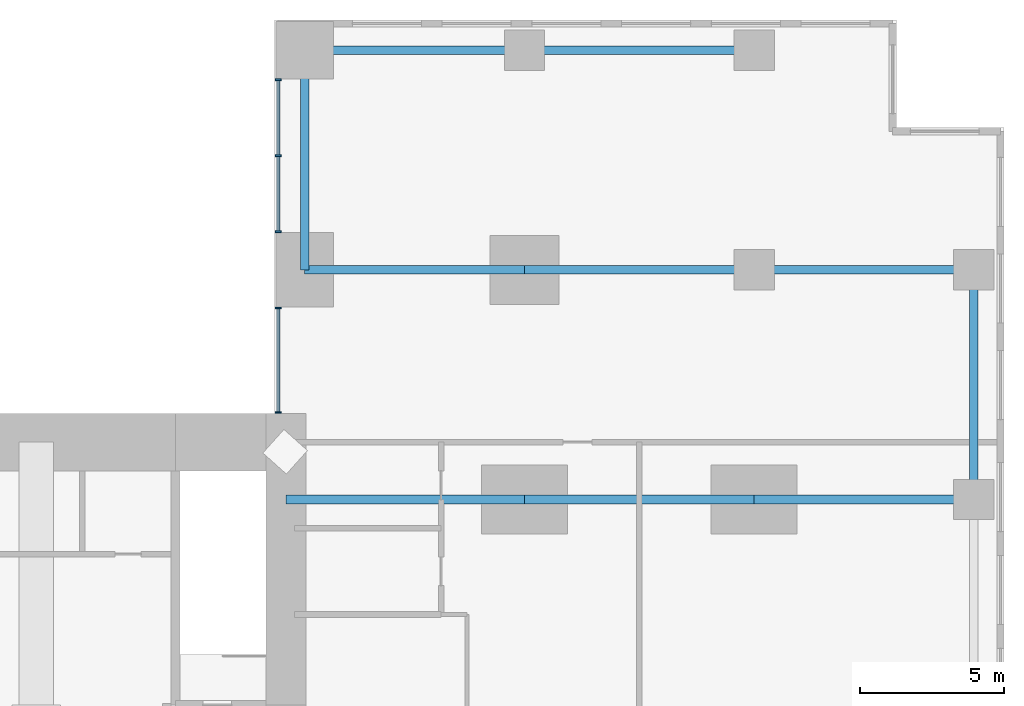
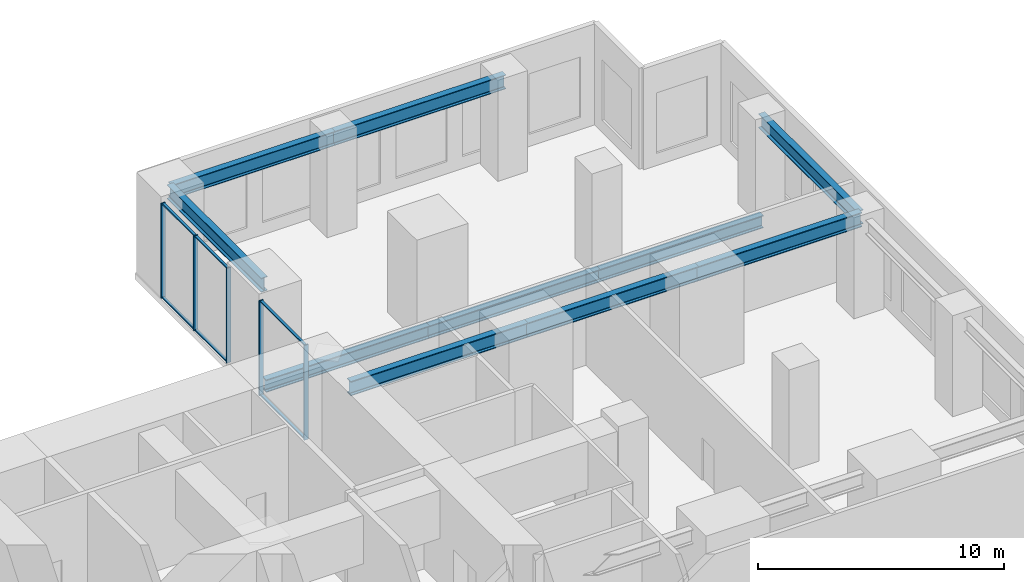
# One storey, part 4 of 7: 11 members, 10 beams, 2 elements without a shape of their own.
"""IFC4 building model written with IfcOpenShell, lengths in metres."""

from ifc_helpers import new_model, si_unit, direction, frame, origin, origin_2d, place, context, subcontext, project, spatial, rectangle, i_section, extrude, material, layer, layer_set, material_profile, profile_set, type_object, element, aggregate, save


model = new_model("IFC4")

# Units and contexts
model_context = context("Model", 3, precision=1e-05, world=origin(), true_north=direction((0.0, 1.0)))
body_context = subcontext(model_context, "Body", "Model", "MODEL_VIEW")
ifc_project = project(units=[si_unit("LENGTHUNIT", "METRE"), si_unit("AREAUNIT", "SQUARE_METRE"), si_unit("VOLUMEUNIT", "CUBIC_METRE"), si_unit("PLANEANGLEUNIT", "RADIAN"), si_unit("MASSUNIT", "GRAM", prefix="KILO")], contexts=[model_context])

# Site, building, storey
site_placement = place(None, origin())
site = spatial("IfcSite", under=ifc_project, at=site_placement, CompositionType="ELEMENT")
building_placement = place(site_placement, origin())
building = spatial("IfcBuilding", under=site, at=building_placement, Name="Cleftline Residences", CompositionType="ELEMENT")
storey_placement = place(building_placement, frame((0.0, 0.0, 296.60009765625)))
storey = spatial("IfcBuildingStorey", under=building, at=storey_placement, Name="L77", CompositionType="ELEMENT", Elevation=296.60009765625)

# Beams
ifc_material_1 = material(Name="Steel S355", Category="steel")
ifc_material_profile_1 = material_profile(ifc_material_1, i_section(OverallWidth=0.300048828125, OverallDepth=0.699951171875, WebThickness=0.01708984375, FlangeThickness=0.031982421875, FilletRadius=0.027099609375, at=origin_2d()))
ifc_profile_set_1 = profile_set([ifc_material_profile_1], Name="Steel S355")
beam_type_1 = type_object("IfcBeamType", Name="BEAM HEB 700", PredefinedType="BEAM", material=ifc_profile_set_1)
for number, where, z_axis, x_axis, name in (
    (1, (65.64990234375, 32.0, 4.349853515625), (0.0, 1.0, 0.0), (-1.0, 0.0, 0.0), "Edge beam"),
    (2, (58.0, 47.64990234375, 4.349853515625), (-1.0, 0.0, 0.0), (0.0, -1.0, 0.0), "Edge beam"),
):
    element("IfcBeam", number, at=place(storey_placement, frame(where, z_axis=z_axis, x_axis=x_axis)), inside=storey, type_object=beam_type_1, Name=name, PredefinedType="BEAM", context=body_context, shape_type="SweptSolid", body=[
        extrude(i_section(OverallWidth=0.300048828125, OverallDepth=0.699951171875, WebThickness=0.01708984375, FlangeThickness=0.031982421875, FilletRadius=0.027099609375, at=origin_2d()), origin(), (0.0, 0.0, 1.0), 8.0),
    ])
for number, where, z_axis, x_axis, name in (
    (3, (50.0, 47.64990234375, 4.349853515625), (-1.0, 0.0, 0.0), (0.0, -1.0, 0.0), "Edge beam"),
    (4, (42.35009765625, 47.64990234375, 4.349853515625), (0.0, -1.0, 0.0), (1.0, 0.0, 0.0), "Edge beam"),
):
    element("IfcBeam", number, at=place(storey_placement, frame(where, z_axis=z_axis, x_axis=x_axis)), inside=storey, type_object=beam_type_1, Name=name, PredefinedType="BEAM", context=body_context, shape_type="SweptSolid", body=[
        extrude(i_section(OverallWidth=0.300048828125, OverallDepth=0.699951171875, WebThickness=0.01708984375, FlangeThickness=0.031982421875, FilletRadius=0.027099609375, at=origin_2d()), origin(), (0.0, 0.0, 1.0), 7.64990234375),
    ])
ifc_material_2 = material(Name="Steel S355", Category="steel")
ifc_material_profile_2 = material_profile(ifc_material_2, i_section(OverallWidth=0.304931640625, OverallDepth=0.6201171875, WebThickness=0.02099609375, FlangeThickness=0.0400390625, FilletRadius=0.027099609375, at=origin_2d()))
ifc_profile_set_2 = profile_set([ifc_material_profile_2], Name="Steel S355")
beam_type_2 = type_object("IfcBeamType", Name="BEAM HEM 600", PredefinedType="BEAM", material=ifc_profile_set_2)
beam_1_placement = place(storey_placement, frame((42.35009765625, 40.0, -0.610107421875), z_axis=(1.0, 0.0, 0.0), x_axis=(0.0, 1.0, 0.0)))
element("IfcBeam", 5, at=beam_1_placement, inside=storey, type_object=beam_type_2, Name="Plant support beam", PredefinedType="BEAM", context=body_context, shape_type="SweptSolid", body=[
    extrude(i_section(OverallWidth=0.304931640625, OverallDepth=0.6201171875, WebThickness=0.02099609375, FlangeThickness=0.0400390625, FilletRadius=0.027099609375, at=origin_2d()), origin(), (0.0, 0.0, 1.0), 7.64990234375),
])
beam_2_placement = place(storey_placement, frame((50.0, 40.0, -0.610107421875), z_axis=(1.0, 0.0, 0.0), x_axis=(0.0, 1.0, 0.0)))
element("IfcBeam", 6, at=beam_2_placement, inside=storey, type_object=beam_type_2, Name="Plant support beam", PredefinedType="BEAM", context=body_context, shape_type="SweptSolid", body=[
    extrude(i_section(OverallWidth=0.304931640625, OverallDepth=0.6201171875, WebThickness=0.02099609375, FlangeThickness=0.0400390625, FilletRadius=0.027099609375, at=origin_2d()), origin(), (0.0, 0.0, 1.0), 8.0),
])
beam_3_placement = place(storey_placement, frame((58.0, 40.0, -0.610107421875), z_axis=(1.0, 0.0, 0.0), x_axis=(0.0, 1.0, 0.0)))
element("IfcBeam", 7, at=beam_3_placement, inside=storey, type_object=beam_type_2, Name="Plant support beam", PredefinedType="BEAM", context=body_context, shape_type="SweptSolid", body=[
    extrude(i_section(OverallWidth=0.304931640625, OverallDepth=0.6201171875, WebThickness=0.02099609375, FlangeThickness=0.0400390625, FilletRadius=0.027099609375, at=origin_2d()), origin(), (0.0, 0.0, 1.0), 7.64990234375),
])
ifc_material_3 = material(Name="Steel S355", Category="steel")
ifc_material_profile_3 = material_profile(ifc_material_3, i_section(OverallWidth=0.303955078125, OverallDepth=0.716064453125, WebThickness=0.02099609375, FlangeThickness=0.0400390625, FilletRadius=0.027099609375, at=origin_2d()))
ifc_profile_set_3 = profile_set([ifc_material_profile_3], Name="Steel S355")
beam_type_3 = type_object("IfcBeamType", Name="BEAM HEM 700", PredefinedType="BEAM", material=ifc_profile_set_3)
beam_4_placement = place(storey_placement, frame((65.64990234375, 32.0, 4.341796875), z_axis=(-1.0, 0.0, 0.0), x_axis=(0.0, -1.0, 0.0)))
element("IfcBeam", 8, at=beam_4_placement, inside=storey, type_object=beam_type_3, Name="Band beam", PredefinedType="BEAM", context=body_context, shape_type="SweptSolid", body=[
    extrude(i_section(OverallWidth=0.303955078125, OverallDepth=0.716064453125, WebThickness=0.02099609375, FlangeThickness=0.0400390625, FilletRadius=0.027099609375, at=origin_2d()), origin(), (0.0, 0.0, 1.0), 7.64990234375),
])
beam_5_placement = place(storey_placement, frame((58.0, 32.0, 4.341796875), z_axis=(-1.0, 0.0, 0.0), x_axis=(0.0, -1.0, 0.0)))
element("IfcBeam", 9, at=beam_5_placement, inside=storey, type_object=beam_type_3, Name="Band beam", PredefinedType="BEAM", context=body_context, shape_type="SweptSolid", body=[
    extrude(i_section(OverallWidth=0.303955078125, OverallDepth=0.716064453125, WebThickness=0.02099609375, FlangeThickness=0.0400390625, FilletRadius=0.027099609375, at=origin_2d()), origin(), (0.0, 0.0, 1.0), 8.0),
])
beam_6_placement = place(storey_placement, frame((50.0, 32.0, 4.341796875), z_axis=(-1.0, 0.0, 0.0), x_axis=(0.0, -1.0, 0.0)))
element("IfcBeam", 10, at=beam_6_placement, inside=storey, type_object=beam_type_3, Name="Band beam", PredefinedType="BEAM", context=body_context, shape_type="SweptSolid", body=[
    extrude(i_section(OverallWidth=0.303955078125, OverallDepth=0.716064453125, WebThickness=0.02099609375, FlangeThickness=0.0400390625, FilletRadius=0.027099609375, at=origin_2d()), origin(), (0.0, 0.0, 1.0), 8.300048828125),
])

# Curtain wall, members
ifc_material_4 = material(Name="Aluminium framed curtain wall", Category="aluminium")
ifc_layer = layer(ifc_material_4, 0.199951171875)
ifc_layer_set = layer_set([ifc_layer], Name="CW1 CLEFT GLAZING")
curtain_wall_type = type_object("IfcCurtainWallType", Name="CW1 CLEFT GLAZING", PredefinedType="NOTDEFINED", material=ifc_layer_set)
curtain_wall_1_placement = place(storey_placement, origin())
curtain_wall_1 = element("IfcCurtainWall", 11, at=curtain_wall_1_placement, inside=storey, type_object=curtain_wall_type, Name="Curtain wall CW1", PredefinedType="NOTDEFINED")
ifc_material_5 = material(Name="Aluminium mullion", Category="aluminium")
ifc_material_profile_4 = material_profile(ifc_material_5, rectangle(XDim=0.199951171875, YDim=0.06005859375, at=origin_2d()))
ifc_profile_set_4 = profile_set([ifc_material_profile_4], Name="Aluminium mullion")
member_type_1 = type_object("IfcMemberType", Name="CW1 MULLION", PredefinedType="MULLION", material=ifc_profile_set_4)
member_1_placement = place(storey_placement, frame((41.425048828125, 46.6201171875, 0.0), z_axis=(0.0, 0.0, 1.0), x_axis=(1.0, 0.0, 0.0)))
member_1 = element("IfcMember", 12, at=member_1_placement, type_object=member_type_1, Name="CW1 mullion 1", PredefinedType="MULLION", context=body_context, shape_type="SweptSolid", body=[
    extrude(rectangle(XDim=0.199951171875, YDim=0.06005859375, at=origin_2d()), origin(), (0.0, 0.0, 1.0), 4.699951171875),
])
member_2_placement = place(storey_placement, frame((41.425048828125, 43.97509765625, 0.0), z_axis=(0.0, 0.0, 1.0), x_axis=(1.0, 0.0, 0.0)))
member_2 = element("IfcMember", 13, at=member_2_placement, type_object=member_type_1, Name="CW1 mullion 2", PredefinedType="MULLION", context=body_context, shape_type="SweptSolid", body=[
    extrude(rectangle(XDim=0.199951171875, YDim=0.06005859375, at=origin_2d()), origin(), (0.0, 0.0, 1.0), 4.699951171875),
])
member_3_placement = place(storey_placement, frame((41.425048828125, 41.330078125, 0.0), z_axis=(0.0, 0.0, 1.0), x_axis=(1.0, 0.0, 0.0)))
member_3 = element("IfcMember", 14, at=member_3_placement, type_object=member_type_1, Name="CW1 mullion 3", PredefinedType="MULLION", context=body_context, shape_type="SweptSolid", body=[
    extrude(rectangle(XDim=0.199951171875, YDim=0.06005859375, at=origin_2d()), origin(), (0.0, 0.0, 1.0), 4.699951171875),
])

curtain_wall_2_placement = place(storey_placement, origin())
curtain_wall_2 = element("IfcCurtainWall", 15, at=curtain_wall_2_placement, inside=storey, type_object=curtain_wall_type, Name="Curtain wall CW1", PredefinedType="NOTDEFINED")
member_4_placement = place(storey_placement, frame((41.425048828125, 38.669921875, 0.0), z_axis=(0.0, 0.0, 1.0), x_axis=(1.0, 0.0, 0.0)))
member_4 = element("IfcMember", 16, at=member_4_placement, type_object=member_type_1, Name="CW1 mullion 1", PredefinedType="MULLION", context=body_context, shape_type="SweptSolid", body=[
    extrude(rectangle(XDim=0.199951171875, YDim=0.06005859375, at=origin_2d()), origin(), (0.0, 0.0, 1.0), 4.699951171875),
])
member_5_placement = place(storey_placement, frame((41.425048828125, 35.030029296875, 0.0), z_axis=(0.0, 0.0, 1.0), x_axis=(1.0, 0.0, 0.0)))
member_5 = element("IfcMember", 17, at=member_5_placement, type_object=member_type_1, Name="CW1 mullion 2", PredefinedType="MULLION", context=body_context, shape_type="SweptSolid", body=[
    extrude(rectangle(XDim=0.199951171875, YDim=0.06005859375, at=origin_2d()), origin(), (0.0, 0.0, 1.0), 4.699951171875),
])

# Member
ifc_material_6 = material(Name="Aluminium transom", Category="aluminium")
ifc_material_profile_5 = material_profile(ifc_material_6, rectangle(XDim=0.1201171875, YDim=0.06005859375, at=origin_2d()))
ifc_profile_set_5 = profile_set([ifc_material_profile_5], Name="Aluminium transom")
member_type_2 = type_object("IfcMemberType", Name="CW1 TRANSOM", PredefinedType="USERDEFINED", material=ifc_profile_set_5)
member_6_placement = place(storey_placement, frame((41.425048828125, 46.590087890625, 0.02978515625), z_axis=(0.0, -1.0, 0.0), x_axis=(1.0, 0.0, 0.0)))
member_6 = element("IfcMember", 18, at=member_6_placement, type_object=member_type_2, Name="CW1 transom 1.1", ObjectType="TRANSOM", PredefinedType="USERDEFINED", context=body_context, shape_type="SweptSolid", body=[
    extrude(rectangle(XDim=0.1201171875, YDim=0.06005859375, at=origin_2d()), origin(), (0.0, 0.0, 1.0), 2.585205078125),
])

member_7_placement = place(storey_placement, frame((41.425048828125, 46.590087890625, 4.669921875), z_axis=(0.0, -1.0, 0.0), x_axis=(1.0, 0.0, 0.0)))
member_7 = element("IfcMember", 19, at=member_7_placement, type_object=member_type_2, Name="CW1 transom 1.2", ObjectType="TRANSOM", PredefinedType="USERDEFINED", context=body_context, shape_type="SweptSolid", body=[
    extrude(rectangle(XDim=0.1201171875, YDim=0.06005859375, at=origin_2d()), origin(), (0.0, 0.0, 1.0), 2.585205078125),
])

member_8_placement = place(storey_placement, frame((41.425048828125, 43.945068359375, 0.02978515625), z_axis=(0.0, -1.0, 0.0), x_axis=(1.0, 0.0, 0.0)))
member_8 = element("IfcMember", 20, at=member_8_placement, type_object=member_type_2, Name="CW1 transom 2.1", ObjectType="TRANSOM", PredefinedType="USERDEFINED", context=body_context, shape_type="SweptSolid", body=[
    extrude(rectangle(XDim=0.1201171875, YDim=0.06005859375, at=origin_2d()), origin(), (0.0, 0.0, 1.0), 2.5849609375),
])

member_9_placement = place(storey_placement, frame((41.425048828125, 43.945068359375, 4.669921875), z_axis=(0.0, -1.0, 0.0), x_axis=(1.0, 0.0, 0.0)))
member_9 = element("IfcMember", 21, at=member_9_placement, type_object=member_type_2, Name="CW1 transom 2.2", ObjectType="TRANSOM", PredefinedType="USERDEFINED", context=body_context, shape_type="SweptSolid", body=[
    extrude(rectangle(XDim=0.1201171875, YDim=0.06005859375, at=origin_2d()), origin(), (0.0, 0.0, 1.0), 2.5849609375),
])

aggregate(curtain_wall_1, [member_1, member_2, member_3, member_6, member_7, member_8, member_9])

member_10_placement = place(storey_placement, frame((41.425048828125, 38.639892578125, 0.02978515625), z_axis=(0.0, -1.0, 0.0), x_axis=(1.0, 0.0, 0.0)))
member_10 = element("IfcMember", 22, at=member_10_placement, type_object=member_type_2, Name="CW1 transom 1.1", ObjectType="TRANSOM", PredefinedType="USERDEFINED", context=body_context, shape_type="SweptSolid", body=[
    extrude(rectangle(XDim=0.1201171875, YDim=0.06005859375, at=origin_2d()), origin(), (0.0, 0.0, 1.0), 3.579833984375),
])

member_11_placement = place(storey_placement, frame((41.425048828125, 38.639892578125, 4.669921875), z_axis=(0.0, -1.0, 0.0), x_axis=(1.0, 0.0, 0.0)))
member_11 = element("IfcMember", 23, at=member_11_placement, type_object=member_type_2, Name="CW1 transom 1.2", ObjectType="TRANSOM", PredefinedType="USERDEFINED", context=body_context, shape_type="SweptSolid", body=[
    extrude(rectangle(XDim=0.1201171875, YDim=0.06005859375, at=origin_2d()), origin(), (0.0, 0.0, 1.0), 3.579833984375),
])

aggregate(curtain_wall_2, [member_4, member_5, member_10, member_11])

save(model, "model.ifc")
